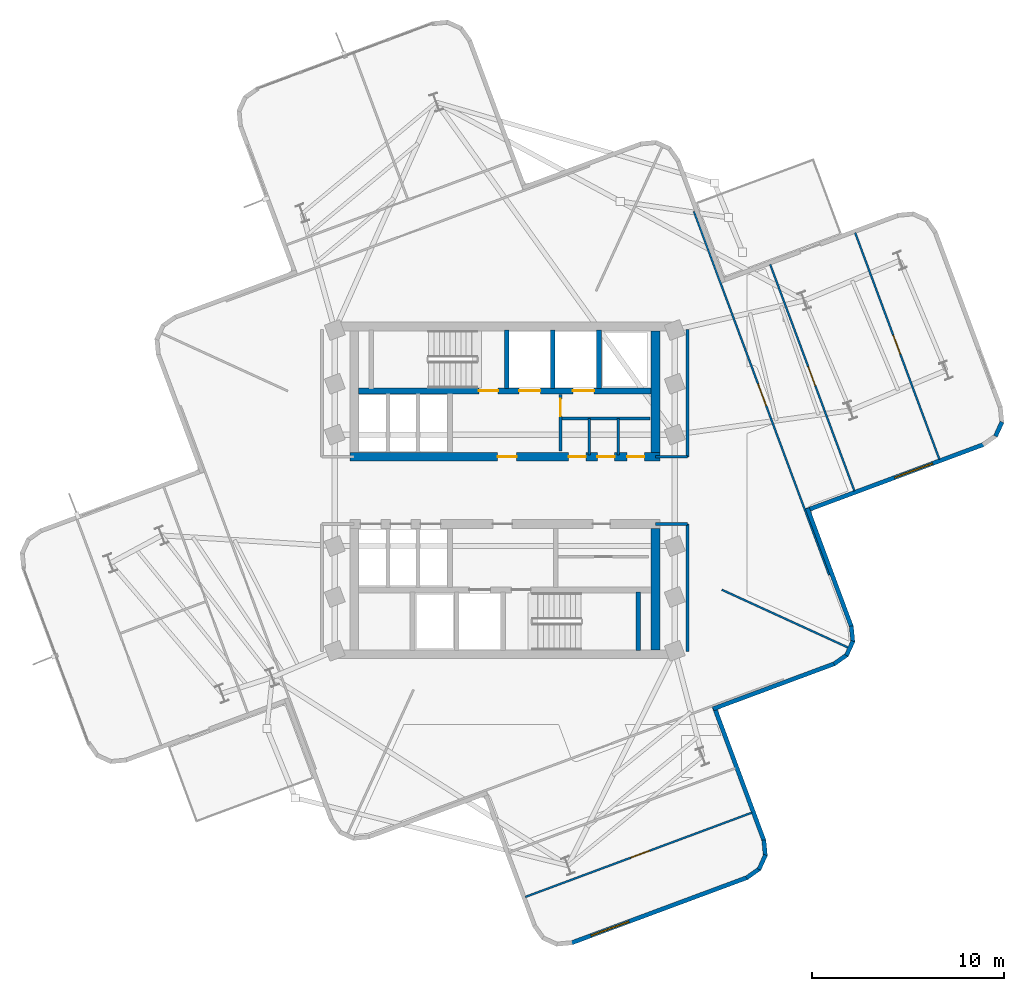
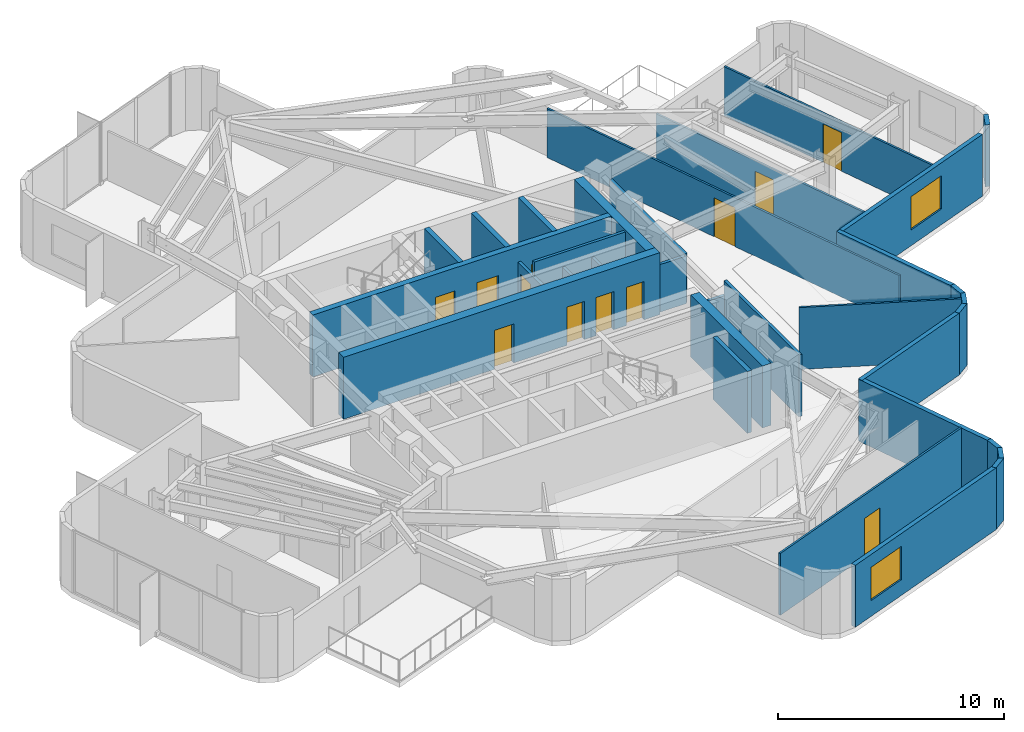
# One storey, part 7 of 11: 33 walls, 12 doors, 2 windows, 14 openings.
"""IFC4 building model written with IfcOpenShell, lengths in metres."""

from ifc_helpers import new_model, si_unit, direction, frame, frame_2d, origin, place, context, subcontext, project, spatial, rectangle, extrude, material, layer, layer_set, type_object, element, fill, save


model = new_model("IFC4")

# Units and contexts
model_context = context("Model", 3, precision=1e-05, world=origin(), true_north=direction((0.0, 1.0)))
body_context = subcontext(model_context, "Body", "Model", "MODEL_VIEW")
ifc_project = project(units=[si_unit("LENGTHUNIT", "METRE"), si_unit("AREAUNIT", "SQUARE_METRE"), si_unit("VOLUMEUNIT", "CUBIC_METRE"), si_unit("PLANEANGLEUNIT", "RADIAN"), si_unit("MASSUNIT", "GRAM", prefix="KILO")], contexts=[model_context])

# Site, building, storey
site_placement = place(None, origin())
site = spatial("IfcSite", under=ifc_project, at=site_placement, CompositionType="ELEMENT")
building_placement = place(site_placement, origin())
building = spatial("IfcBuilding", under=site, at=building_placement, Name="Solmarez Civic Tower", CompositionType="ELEMENT")
storey_placement = place(building_placement, frame((0.0, 0.0, 170.280029296875)))
storey = spatial("IfcBuildingStorey", under=building, at=storey_placement, Name="L45", CompositionType="ELEMENT", Elevation=170.280029296875)

# Wall, openings, doors
ifc_material_1 = material(Name="Concrete C50/60", Category="concrete")
ifc_layer_1 = layer(ifc_material_1, 0.449951171875)
ifc_layer_set_1 = layer_set([ifc_layer_1], Name="Concrete C50/60")
wall_type_1 = type_object("IfcWallType", Name="WALL-CORE-450", PredefinedType="SHEAR", material=ifc_layer_set_1)
wall_1_placement = place(storey_placement, frame((8.070068359375, 1.75, 0.0), z_axis=(0.0, 0.0, 1.0), x_axis=(-1.0, 0.0, 0.0)))
wall_1 = element("IfcWall", 1, at=wall_1_placement, inside=storey, type_object=wall_type_1, Name="L45 Split-Core Structural Wall NCW-S-L45", PredefinedType="SHEAR", context=body_context, shape_type="SweptSolid", body=[
    extrude(rectangle(XDim=16.14013671875, YDim=0.449951171875, at=frame_2d((8.070068359375, 0.0))), origin(), (0.0, 0.0, 1.0), 3.340087890625),
])
opening_1_placement = place(wall_1_placement, frame((7.449951171875, 0.0, 0.0)))
opening_1 = element("IfcOpeningElement", 2, at=opening_1_placement, cuts=wall_1, Name="Opening D-04", PredefinedType="OPENING", context=body_context, shape_type="SweptSolid", body=[
    extrude(rectangle(XDim=1.0, YDim=2.10009765625, at=frame_2d((0.5, 1.050048828125))), frame((0.0, 0.23486328125, 0.0), z_axis=(0.0, -1.0, 0.0), x_axis=(1.0, 0.0, 0.0)), (0.0, 0.0, 1.0), 0.469970703125),
])
opening_2_placement = place(wall_1_placement, frame((3.85009765625, 0.0, 0.0)))
opening_2 = element("IfcOpeningElement", 3, at=opening_2_placement, cuts=wall_1, Name="Opening D-09", PredefinedType="OPENING", context=body_context, shape_type="SweptSolid", body=[
    extrude(rectangle(XDim=0.89990234375, YDim=2.06005859375, at=frame_2d((0.449951171875, 1.030029296875))), frame((0.0, 0.23486328125, 0.0), z_axis=(0.0, -1.0, 0.0), x_axis=(1.0, 0.0, 0.0)), (0.0, 0.0, 1.0), 0.469970703125),
])
opening_3_placement = place(wall_1_placement, frame((2.35009765625, 0.0, 0.0)))
opening_3 = element("IfcOpeningElement", 4, at=opening_3_placement, cuts=wall_1, Name="Opening D-09", PredefinedType="OPENING", context=body_context, shape_type="SweptSolid", body=[
    extrude(rectangle(XDim=0.89990234375, YDim=2.06005859375, at=frame_2d((0.449951171875, 1.030029296875))), frame((0.0, 0.23486328125, 0.0), z_axis=(0.0, -1.0, 0.0), x_axis=(1.0, 0.0, 0.0)), (0.0, 0.0, 1.0), 0.469970703125),
])
opening_4_placement = place(wall_1_placement, frame((0.800048828125, 0.0, 0.0)))
opening_4 = element("IfcOpeningElement", 5, at=opening_4_placement, cuts=wall_1, Name="Opening D-09", PredefinedType="OPENING", context=body_context, shape_type="SweptSolid", body=[
    extrude(rectangle(XDim=0.89990234375, YDim=2.06005859375, at=frame_2d((0.449951171875, 1.030029296875))), frame((0.0, 0.23486328125, 0.0), z_axis=(0.0, -1.0, 0.0), x_axis=(1.0, 0.0, 0.0)), (0.0, 0.0, 1.0), 0.469970703125),
])
ifc_material_2 = material(Name="Steel-Faced Acoustic Fire Door", Category="steel")
door_type_1 = type_object("IfcDoorType", Name="DOOR-FD60-1000", OperationType="NOTDEFINED", PredefinedType="DOOR", material=ifc_material_2)
door_1_placement = place(opening_1_placement, origin())
door_1 = element("IfcDoor", 6, at=door_1_placement, inside=storey, type_object=door_type_1, Name="L45 North Firefighting Lobby Door", OperationType="SINGLE_SWING_RIGHT", OverallHeight=2.10009765625, OverallWidth=1.0, PredefinedType="DOOR", context=body_context, shape_type="SweptSolid", body=[
    extrude(rectangle(XDim=1.0, YDim=2.10009765625, at=frame_2d((0.5, 1.050048828125))), frame((0.0, 0.02490234375, 0.0), z_axis=(0.0, -1.0, 0.0), x_axis=(1.0, 0.0, 0.0)), (0.0, 0.0, 1.0), 0.050048828125),
])
fill(opening_1, door_1)
ifc_material_3 = material(Name="Fire-Rated Service Core Door", Category="wood")
door_type_2 = type_object("IfcDoorType", Name="DOOR-FD60-900", OperationType="NOTDEFINED", PredefinedType="DOOR", material=ifc_material_3)
door_2_placement = place(opening_2_placement, origin())
door_2 = element("IfcDoor", 7, at=door_2_placement, inside=storey, type_object=door_type_2, Name="L45 Core WC Door", OperationType="SINGLE_SWING_RIGHT", OverallHeight=2.06005859375, OverallWidth=0.89990234375, PredefinedType="DOOR", context=body_context, shape_type="SweptSolid", body=[
    extrude(rectangle(XDim=0.89990234375, YDim=2.06005859375, at=frame_2d((0.449951171875, 1.030029296875))), frame((0.0, 0.02490234375, 0.0), z_axis=(0.0, -1.0, 0.0), x_axis=(1.0, 0.0, 0.0)), (0.0, 0.0, 1.0), 0.050048828125),
])
fill(opening_2, door_2)
door_3_placement = place(opening_3_placement, origin())
door_3 = element("IfcDoor", 8, at=door_3_placement, inside=storey, type_object=door_type_2, Name="L45 Core CL Door", OperationType="SINGLE_SWING_LEFT", OverallHeight=2.06005859375, OverallWidth=0.89990234375, PredefinedType="DOOR", context=body_context, shape_type="SweptSolid", body=[
    extrude(rectangle(XDim=0.89990234375, YDim=2.06005859375, at=frame_2d((0.449951171875, 1.030029296875))), frame((0.0, 0.02490234375, 0.0), z_axis=(0.0, -1.0, 0.0), x_axis=(1.0, 0.0, 0.0)), (0.0, 0.0, 1.0), 0.050048828125),
])
fill(opening_3, door_3)
door_4_placement = place(opening_4_placement, origin())
door_4 = element("IfcDoor", 9, at=door_4_placement, inside=storey, type_object=door_type_2, Name="L45 Core IT Door", OperationType="SINGLE_SWING_LEFT", OverallHeight=2.06005859375, OverallWidth=0.89990234375, PredefinedType="DOOR", context=body_context, shape_type="SweptSolid", body=[
    extrude(rectangle(XDim=0.89990234375, YDim=2.06005859375, at=frame_2d((0.449951171875, 1.030029296875))), frame((0.0, 0.02490234375, 0.0), z_axis=(0.0, -1.0, 0.0), x_axis=(1.0, 0.0, 0.0)), (0.0, 0.0, 1.0), 0.050048828125),
])
fill(opening_4, door_4)

# Walls
for number, where, z_axis, x_axis, name in (
    (10, (7.844970703125, 8.31005859375, 0.0), (0.0, 0.0, 1.0), (0.0, -1.0, 0.0), "L45 Split-Core Structural Wall NCW-E-L45"),
    (11, (7.844970703125, -1.97509765625, 0.0), (0.0, 0.0, 1.0), (0.0, -1.0, 0.0), "L45 Split-Core Structural Wall SCW-E-L45"),
):
    element("IfcWall", number, at=place(storey_placement, frame(where, z_axis=z_axis, x_axis=x_axis)), inside=storey, type_object=wall_type_1, Name=name, PredefinedType="SHEAR", context=body_context, shape_type="SweptSolid", body=[
        extrude(rectangle(XDim=6.3349609375, YDim=0.449951171875, at=frame_2d((3.16748046875, 0.0))), origin(), (0.0, 0.0, 1.0), 3.340087890625),
    ])
ifc_material_4 = material(Name="Precast concrete C40/50", Category="concrete")
ifc_layer_2 = layer(ifc_material_4, 0.219970703125)
ifc_layer_set_2 = layer_set([ifc_layer_2], Name="Precast concrete C40/50")
wall_type_2 = type_object("IfcWallType", Name="WALL-EXT-220", PredefinedType="SOLIDWALL", material=ifc_layer_set_2)
wall_2_placement = place(storey_placement, frame((25.885986328125, 3.56201171875, 0.0), z_axis=(0.0, 0.0, 1.0), x_axis=(-0.41476734413, -0.909927497245, 0.0)))
element("IfcWall", 12, at=wall_2_placement, inside=storey, type_object=wall_type_2, Name="L45 Exterior Precast Wall 44", PredefinedType="SOLIDWALL", context=body_context, shape_type="SweptSolid", body=[
    extrude(rectangle(XDim=0.820068359375, YDim=0.219970703125, at=frame_2d((0.41015625, 0.0))), origin(), (0.0, 0.0, 1.0), 3.340087890625),
])

# Wall, opening, window
wall_3_placement = place(storey_placement, frame((24.93994140625, 2.39404296875, 0.0), z_axis=(0.0, 0.0, 1.0), x_axis=(-0.937259115868, -0.348633546468, 0.0)))
wall_3 = element("IfcWall", 13, at=wall_3_placement, inside=storey, type_object=wall_type_2, Name="L45 Exterior Precast Wall 46", PredefinedType="SOLIDWALL", context=body_context, shape_type="SweptSolid", body=[
    extrude(rectangle(XDim=9.858642578125, YDim=0.219970703125, at=frame_2d((4.92919921875, 0.0))), origin(), (0.0, 0.0, 1.0), 3.340087890625),
])
opening_5_placement = place(wall_3_placement, frame((2.85009765625, 0.0, 0.85009765625)))
opening_5 = element("IfcOpeningElement", 14, at=opening_5_placement, cuts=wall_3, Name="Opening W-07", PredefinedType="OPENING", context=body_context, shape_type="SweptSolid", body=[
    extrude(rectangle(XDim=2.10009765625, YDim=1.800048828125, at=frame_2d((1.050048828125, 0.89990234375))), frame((0.0, 0.119873046875, 0.0), z_axis=(0.0, -1.0, 0.0), x_axis=(1.0, 0.0, 0.0)), (0.0, 0.0, 1.0), 0.239990234375),
])
ifc_material_5 = material(Name="Solar Control Bronze-Tinted Insulating Glass", Category="glass")
window_type = type_object("IfcWindowType", Name="WIN-2100X1800", PartitioningType="SINGLE_PANEL", PredefinedType="WINDOW", material=ifc_material_5)
window_1_placement = place(opening_5_placement, origin())
window_1 = element("IfcWindow", 15, at=window_1_placement, inside=storey, type_object=window_type, Name="L45 Exterior Facade Window 46", OverallHeight=1.800048828125, OverallWidth=2.10009765625, PartitioningType="SINGLE_PANEL", PredefinedType="WINDOW", context=body_context, shape_type="SweptSolid", body=[
    extrude(rectangle(XDim=2.10009765625, YDim=1.800048828125, at=frame_2d((1.050048828125, 0.89990234375))), frame((0.0, 0.030029296875, 0.0), z_axis=(0.0, -1.0, 0.0), x_axis=(1.0, 0.0, 0.0)), (0.0, 0.0, 1.0), 0.06005859375),
])
fill(opening_5, window_1)

# Walls
wall_4_placement = place(storey_placement, frame((15.7509765625, -0.929931640625, 0.0), z_axis=(0.0, 0.0, 1.0), x_axis=(0.348729932868, -0.937223257246, 0.0)))
element("IfcWall", 16, at=wall_4_placement, inside=storey, type_object=wall_type_2, Name="L45 Exterior Precast Wall 49", PredefinedType="SOLIDWALL", context=body_context, shape_type="SweptSolid", body=[
    extrude(rectangle(XDim=6.598388671875, YDim=0.219970703125, at=frame_2d((3.29931640625, 0.0))), origin(), (0.0, 0.0, 1.0), 3.340087890625),
])
wall_5_placement = place(storey_placement, frame((18.041015625, -7.06591796875, 0.0), z_axis=(0.0, 0.0, 1.0), x_axis=(0.09330446586, -0.995637623159, 0.0)))
element("IfcWall", 17, at=wall_5_placement, inside=storey, type_object=wall_type_2, Name="L45 Exterior Precast Wall 50", PredefinedType="SOLIDWALL", context=body_context, shape_type="SweptSolid", body=[
    extrude(rectangle(XDim=0.834716796875, YDim=0.219970703125, at=frame_2d((0.41748046875, 0.0))), origin(), (0.0, 0.0, 1.0), 3.340087890625),
])
wall_6_placement = place(storey_placement, frame((18.126953125, -7.84912109375, 0.0), z_axis=(0.0, 0.0, 1.0), x_axis=(-0.415083126143, -0.909783489843, 0.0)))
element("IfcWall", 18, at=wall_6_placement, inside=storey, type_object=wall_type_2, Name="L45 Exterior Precast Wall 51", PredefinedType="SOLIDWALL", context=body_context, shape_type="SweptSolid", body=[
    extrude(rectangle(XDim=0.81884765625, YDim=0.219970703125, at=frame_2d((0.409423828125, 0.0))), origin(), (0.0, 0.0, 1.0), 3.340087890625),
])
wall_7_placement = place(storey_placement, frame((17.81689453125, -8.556884765625, 0.0), z_axis=(0.0, 0.0, 1.0), x_axis=(-0.815315167698, -0.579017424022, 0.0)))
element("IfcWall", 19, at=wall_7_placement, inside=storey, type_object=wall_type_2, Name="L45 Exterior Precast Wall 52", PredefinedType="SOLIDWALL", context=body_context, shape_type="SweptSolid", body=[
    extrude(rectangle(XDim=0.832763671875, YDim=0.219970703125, at=frame_2d((0.41650390625, 0.0))), origin(), (0.0, 0.0, 1.0), 3.340087890625),
])
wall_8_placement = place(storey_placement, frame((17.180908203125, -9.01611328125, 0.0), z_axis=(0.0, 0.0, 1.0), x_axis=(-0.937216908499, -0.34874699486, 0.0)))
element("IfcWall", 20, at=wall_8_placement, inside=storey, type_object=wall_type_2, Name="L45 Exterior Precast Wall 53", PredefinedType="SOLIDWALL", context=body_context, shape_type="SweptSolid", body=[
    extrude(rectangle(XDim=6.75830078125, YDim=0.219970703125, at=frame_2d((3.379150390625, 0.0))), origin(), (0.0, 0.0, 1.0), 3.340087890625),
])
wall_9_placement = place(storey_placement, frame((10.89794921875, -11.260009765625, 0.0), z_axis=(0.0, 0.0, 1.0), x_axis=(0.348636078187, -0.937258174137, 0.0)))
element("IfcWall", 21, at=wall_9_placement, inside=storey, type_object=wall_type_2, Name="L45 Exterior Precast Wall 56", PredefinedType="SOLIDWALL", context=body_context, shape_type="SweptSolid", body=[
    extrude(rectangle(XDim=7.4580078125, YDim=0.219970703125, at=frame_2d((3.72900390625, 0.0))), origin(), (0.0, 0.0, 1.0), 3.340087890625),
])
wall_10_placement = place(storey_placement, frame((13.487060546875, -18.201904296875, 0.0), z_axis=(0.0, 0.0, 1.0), x_axis=(0.093413278521, -0.99562741997, 0.0)))
element("IfcWall", 22, at=wall_10_placement, inside=storey, type_object=wall_type_2, Name="L45 Exterior Precast Wall 57", PredefinedType="SOLIDWALL", context=body_context, shape_type="SweptSolid", body=[
    extrude(rectangle(XDim=0.833740234375, YDim=0.219970703125, at=frame_2d((0.4169921875, 0.0))), origin(), (0.0, 0.0, 1.0), 3.340087890625),
])
wall_11_placement = place(storey_placement, frame((13.572998046875, -18.98388671875, 0.0), z_axis=(0.0, 0.0, 1.0), x_axis=(-0.41476734413, -0.909927497245, 0.0)))
element("IfcWall", 23, at=wall_11_placement, inside=storey, type_object=wall_type_2, Name="L45 Exterior Precast Wall 58", PredefinedType="SOLIDWALL", context=body_context, shape_type="SweptSolid", body=[
    extrude(rectangle(XDim=0.820068359375, YDim=0.219970703125, at=frame_2d((0.41015625, 0.0))), origin(), (0.0, 0.0, 1.0), 3.340087890625),
])
wall_12_placement = place(storey_placement, frame((13.262939453125, -19.693115234375, 0.0), z_axis=(0.0, 0.0, 1.0), x_axis=(-0.815453569677, -0.578822490666, 0.0)))
element("IfcWall", 24, at=wall_12_placement, inside=storey, type_object=wall_type_2, Name="L45 Exterior Precast Wall 59", PredefinedType="SOLIDWALL", context=body_context, shape_type="SweptSolid", body=[
    extrude(rectangle(XDim=0.83251953125, YDim=0.219970703125, at=frame_2d((0.416259765625, 0.0))), origin(), (0.0, 0.0, 1.0), 3.340087890625),
])

# Wall, opening, window
wall_13_placement = place(storey_placement, frame((12.626953125, -20.152099609375, 0.0), z_axis=(0.0, 0.0, 1.0), x_axis=(-0.937257326037, -0.348638358175, 0.0)))
wall_13 = element("IfcWall", 25, at=wall_13_placement, inside=storey, type_object=wall_type_2, Name="L45 Exterior Precast Wall 60", PredefinedType="SOLIDWALL", context=body_context, shape_type="SweptSolid", body=[
    extrude(rectangle(XDim=9.78076171875, YDim=0.219970703125, at=frame_2d((4.890380859375, 0.0))), origin(), (0.0, 0.0, 1.0), 3.340087890625),
])
opening_6_placement = place(wall_13_placement, frame((6.5791015625, 0.0, 0.85009765625)))
opening_6 = element("IfcOpeningElement", 26, at=opening_6_placement, cuts=wall_13, Name="Opening W-07", PredefinedType="OPENING", context=body_context, shape_type="SweptSolid", body=[
    extrude(rectangle(XDim=2.10009765625, YDim=1.800048828125, at=frame_2d((1.050048828125, 0.89990234375))), frame((0.0, 0.119873046875, 0.0), z_axis=(0.0, -1.0, 0.0), x_axis=(1.0, 0.0, 0.0)), (0.0, 0.0, 1.0), 0.239990234375),
])
window_2_placement = place(opening_6_placement, origin())
window_2 = element("IfcWindow", 27, at=window_2_placement, inside=storey, type_object=window_type, Name="L45 Exterior Facade Window 60", OverallHeight=1.800048828125, OverallWidth=2.10009765625, PartitioningType="SINGLE_PANEL", PredefinedType="WINDOW", context=body_context, shape_type="SweptSolid", body=[
    extrude(rectangle(XDim=2.10009765625, YDim=1.800048828125, at=frame_2d((1.050048828125, 0.89990234375))), frame((0.0, 0.030029296875, 0.0), z_axis=(0.0, -1.0, 0.0), x_axis=(1.0, 0.0, 0.0)), (0.0, 0.0, 1.0), 0.06005859375),
])
fill(opening_6, window_2)

# Walls
ifc_material_6 = material(Name="Gypsum Board Acoustic Steel-Stud Partition", Category="steel")
ifc_layer_3 = layer(ifc_material_6, 0.14990234375)
ifc_layer_set_3 = layer_set([ifc_layer_3], Name="Gypsum Board Acoustic Steel-Stud Partition")
wall_type_3 = type_object("IfcWallType", Name="WALL-INT-FIRE-150", PredefinedType="PARTITIONING", material=ifc_layer_set_3)
wall_14_placement = place(storey_placement, frame((9.52001953125, 1.75, 0.0), z_axis=(0.0, 0.0, 1.0), x_axis=(0.0, 1.0, 0.0)))
element("IfcWall", 28, at=wall_14_placement, inside=storey, type_object=wall_type_3, Name="L45 Interior Partition CHW-L45-EN1", PredefinedType="PARTITIONING", context=body_context, shape_type="SweptSolid", body=[
    extrude(rectangle(XDim=6.6298828125, YDim=0.14990234375, at=frame_2d((3.31494140625, 0.0))), origin(), (0.0, 0.0, 1.0), 2.64404296875),
])
wall_15_placement = place(storey_placement, frame((7.85009765625, 1.75, 0.0), z_axis=(0.0, 0.0, 1.0), x_axis=(1.0, 0.0, 0.0)))
element("IfcWall", 29, at=wall_15_placement, inside=storey, type_object=wall_type_3, Name="L45 Interior Partition CHW-L45-EN3", PredefinedType="PARTITIONING", context=body_context, shape_type="SweptSolid", body=[
    extrude(rectangle(XDim=1.669921875, YDim=0.14990234375, at=frame_2d((0.8349609375, 0.0))), origin(), (0.0, 0.0, 1.0), 2.570068359375),
])
wall_16_placement = place(storey_placement, frame((9.52001953125, -8.3798828125, 0.0), z_axis=(0.0, 0.0, 1.0), x_axis=(0.0, 1.0, 0.0)))
element("IfcWall", 30, at=wall_16_placement, inside=storey, type_object=wall_type_3, Name="L45 Interior Partition CHW-L45-ES1", PredefinedType="PARTITIONING", context=body_context, shape_type="SweptSolid", body=[
    extrude(rectangle(XDim=6.6298828125, YDim=0.14990234375, at=frame_2d((3.31494140625, 0.0))), origin(), (0.0, 0.0, 1.0), 3.340087890625),
])
wall_17_placement = place(storey_placement, frame((7.85009765625, -1.75, 0.0), z_axis=(0.0, 0.0, 1.0), x_axis=(1.0, 0.0, 0.0)))
element("IfcWall", 31, at=wall_17_placement, inside=storey, type_object=wall_type_3, Name="L45 Interior Partition CHW-L45-ES3", PredefinedType="PARTITIONING", context=body_context, shape_type="SweptSolid", body=[
    extrude(rectangle(XDim=1.669921875, YDim=0.14990234375, at=frame_2d((0.8349609375, 0.0))), origin(), (0.0, 0.0, 1.0), 2.570068359375),
])
ifc_layer_4 = layer(ifc_material_6, 0.10009765625)
ifc_layer_set_4 = layer_set([ifc_layer_4], Name="Gypsum Board Acoustic Steel-Stud Partition")
wall_type_4 = type_object("IfcWallType", Name="WALL-INT-PART-100", PredefinedType="PARTITIONING", material=ifc_layer_set_4)
wall_18_placement = place(storey_placement, frame((11.300048828125, -5.174072265625, 0.0), z_axis=(0.0, 0.0, 1.0), x_axis=(0.909275268701, -0.416195249528, 0.0)))
element("IfcWall", 32, at=wall_18_placement, inside=storey, type_object=wall_type_4, Name="L45 Interior Partition PT-L45-QDIV-4", PredefinedType="PARTITIONING", context=body_context, shape_type="SweptSolid", body=[
    extrude(rectangle(XDim=7.246337890625, YDim=0.10009765625, at=frame_2d((3.623046875, 0.0))), origin(), (0.0, 0.0, 1.0), 3.340087890625),
])

# Wall, opening, door
wall_19_placement = place(storey_placement, frame((9.845947265625, 14.52197265625, 0.0), z_axis=(0.0, 0.0, 1.0), x_axis=(0.348543090668, -0.937292757866, 0.0)))
wall_19 = element("IfcWall", 33, at=wall_19_placement, inside=storey, type_object=wall_type_4, Name="L45 Interior Partition PT-L45-E-ENT", PredefinedType="PARTITIONING", context=body_context, shape_type="SweptSolid", body=[
    extrude(rectangle(XDim=20.198486328125, YDim=0.10009765625, at=frame_2d((10.09912109375, 0.0))), origin(), (0.0, 0.0, 1.0), 2.64404296875),
])
opening_7_placement = place(wall_19_placement, frame((9.5791015625, 0.0, 0.0)))
opening_7 = element("IfcOpeningElement", 34, at=opening_7_placement, cuts=wall_19, Name="Opening D-11", PredefinedType="OPENING", context=body_context, shape_type="SweptSolid", body=[
    extrude(rectangle(XDim=1.199951171875, YDim=2.10009765625, at=frame_2d((0.60009765625, 1.050048828125))), frame((0.0, 0.06005859375, 0.0), z_axis=(0.0, -1.0, 0.0), x_axis=(1.0, 0.0, 0.0)), (0.0, 0.0, 1.0), 0.1201171875),
])
ifc_material_7 = material(Name="Glazed-Vision Acoustic Chamber Door", Category="wood")
door_type_3 = type_object("IfcDoorType", Name="DOOR-INT-1200", OperationType="NOTDEFINED", PredefinedType="DOOR", material=ifc_material_7)
door_5_placement = place(opening_7_placement, origin())
door_5 = element("IfcDoor", 35, at=door_5_placement, inside=storey, type_object=door_type_3, Name="L45 Tribunal Chamber Co-Working Policy Workspace First East Door", OperationType="SINGLE_SWING_LEFT", OverallHeight=2.10009765625, OverallWidth=1.199951171875, PredefinedType="DOOR", context=body_context, shape_type="SweptSolid", body=[
    extrude(rectangle(XDim=1.199951171875, YDim=2.10009765625, at=frame_2d((0.60009765625, 1.050048828125))), frame((0.0, 0.02490234375, 0.0), z_axis=(0.0, -1.0, 0.0), x_axis=(1.0, 0.0, 0.0)), (0.0, 0.0, 1.0), 0.050048828125),
])
fill(opening_7, door_5)

wall_20_placement = place(storey_placement, frame((13.81396484375, 11.76806640625, 0.0), z_axis=(0.0, 0.0, 1.0), x_axis=(0.348608135993, -0.937268567445, 0.0)))
wall_20 = element("IfcWall", 36, at=wall_20_placement, inside=storey, type_object=wall_type_4, Name="L45 Interior Partition PT-L45-E-SC1", PredefinedType="PARTITIONING", context=body_context, shape_type="SweptSolid", body=[
    extrude(rectangle(XDim=12.58984375, YDim=0.10009765625, at=frame_2d((6.294921875, 0.0))), origin(), (0.0, 0.0, 1.0), 2.64404296875),
])
opening_8_placement = place(wall_20_placement, frame((5.68994140625, 0.0, 0.0)))
opening_8 = element("IfcOpeningElement", 37, at=opening_8_placement, cuts=wall_20, Name="Opening D-13", PredefinedType="OPENING", context=body_context, shape_type="SweptSolid", body=[
    extrude(rectangle(XDim=1.050048828125, YDim=2.080078125, at=frame_2d((0.52490234375, 1.0400390625))), frame((0.0, 0.06005859375, 0.0), z_axis=(0.0, -1.0, 0.0), x_axis=(1.0, 0.0, 0.0)), (0.0, 0.0, 1.0), 0.1201171875),
])
ifc_material_8 = material(Name="Timber Directorate Office Door", Category="wood")
door_type_4 = type_object("IfcDoorType", Name="DOOR-INT-1050", OperationType="NOTDEFINED", PredefinedType="DOOR", material=ifc_material_8)
door_6_placement = place(opening_8_placement, origin())
door_6 = element("IfcDoor", 38, at=door_6_placement, inside=storey, type_object=door_type_4, Name="L45 Breakout Huddle Room East Door", OperationType="SINGLE_SWING_LEFT", OverallHeight=2.080078125, OverallWidth=1.050048828125, PredefinedType="DOOR", context=body_context, shape_type="SweptSolid", body=[
    extrude(rectangle(XDim=1.050048828125, YDim=2.080078125, at=frame_2d((0.52490234375, 1.0400390625))), frame((0.0, 0.02490234375, 0.0), z_axis=(0.0, -1.0, 0.0), x_axis=(1.0, 0.0, 0.0)), (0.0, 0.0, 1.0), 0.050048828125),
])
fill(opening_8, door_6)

wall_21_placement = place(storey_placement, frame((18.239013671875, 13.4140625, 0.0), z_axis=(0.0, 0.0, 1.0), x_axis=(0.348514653153, -0.937303332192, 0.0)))
wall_21 = element("IfcWall", 39, at=wall_21_placement, inside=storey, type_object=wall_type_4, Name="L45 Interior Partition PT-L45-E-SC2", PredefinedType="PARTITIONING", context=body_context, shape_type="SweptSolid", body=[
    extrude(rectangle(XDim=12.59033203125, YDim=0.10009765625, at=frame_2d((6.295166015625, 0.0))), origin(), (0.0, 0.0, 1.0), 2.64404296875),
])
opening_9_placement = place(wall_21_placement, frame((5.69091796875, 0.0, 0.0)))
opening_9 = element("IfcOpeningElement", 40, at=opening_9_placement, cuts=wall_21, Name="Opening D-13", PredefinedType="OPENING", context=body_context, shape_type="SweptSolid", body=[
    extrude(rectangle(XDim=1.050048828125, YDim=2.080078125, at=frame_2d((0.52490234375, 1.0400390625))), frame((0.0, 0.06005859375, 0.0), z_axis=(0.0, -1.0, 0.0), x_axis=(1.0, 0.0, 0.0)), (0.0, 0.0, 1.0), 0.1201171875),
])
door_7_placement = place(opening_9_placement, origin())
door_7 = element("IfcDoor", 41, at=door_7_placement, inside=storey, type_object=door_type_4, Name="L45 Staff Tea Pantry East Door", OperationType="SINGLE_SWING_RIGHT", OverallHeight=2.080078125, OverallWidth=1.050048828125, PredefinedType="DOOR", context=body_context, shape_type="SweptSolid", body=[
    extrude(rectangle(XDim=1.050048828125, YDim=2.080078125, at=frame_2d((0.52490234375, 1.0400390625))), frame((0.0, 0.02490234375, 0.0), z_axis=(0.0, -1.0, 0.0), x_axis=(1.0, 0.0, 0.0)), (0.0, 0.0, 1.0), 0.050048828125),
])
fill(opening_9, door_7)

wall_22_placement = place(storey_placement, frame((12.8701171875, -16.77587890625, 0.0), z_axis=(0.0, 0.0, 1.0), x_axis=(-0.937262231235, -0.348625171066, 0.0)))
wall_22 = element("IfcWall", 42, at=wall_22_placement, inside=storey, type_object=wall_type_4, Name="L45 Interior Partition PT-L45-S-SC2", PredefinedType="PARTITIONING", context=body_context, shape_type="SweptSolid", body=[
    extrude(rectangle(XDim=12.58984375, YDim=0.10009765625, at=frame_2d((6.294921875, 0.0))), origin(), (0.0, 0.0, 1.0), 3.340087890625),
])
opening_10_placement = place(wall_22_placement, frame((5.68994140625, 0.0, 0.0)))
opening_10 = element("IfcOpeningElement", 43, at=opening_10_placement, cuts=wall_22, Name="Opening D-13", PredefinedType="OPENING", context=body_context, shape_type="SweptSolid", body=[
    extrude(rectangle(XDim=1.050048828125, YDim=2.080078125, at=frame_2d((0.52490234375, 1.0400390625))), frame((0.0, 0.06005859375, 0.0), z_axis=(0.0, -1.0, 0.0), x_axis=(1.0, 0.0, 0.0)), (0.0, 0.0, 1.0), 0.1201171875),
])
door_8_placement = place(opening_10_placement, origin())
door_8 = element("IfcDoor", 44, at=door_8_placement, inside=storey, type_object=door_type_4, Name="L45 Municipal Mailroom South Door", OperationType="SINGLE_SWING_RIGHT", OverallHeight=2.080078125, OverallWidth=1.050048828125, PredefinedType="DOOR", context=body_context, shape_type="SweptSolid", body=[
    extrude(rectangle(XDim=1.050048828125, YDim=2.080078125, at=frame_2d((0.52490234375, 1.0400390625))), frame((0.0, 0.02490234375, 0.0), z_axis=(0.0, -1.0, 0.0), x_axis=(1.0, 0.0, 0.0)), (0.0, 0.0, 1.0), 0.050048828125),
])
fill(opening_10, door_8)

ifc_layer_5 = layer(ifc_material_6, 0.159912109375)
ifc_layer_set_5 = layer_set([ifc_layer_5], Name="Gypsum Board Acoustic Steel-Stud Partition")
wall_type_5 = type_object("IfcWallType", Name="WALL-INT-SHAFT-160", PredefinedType="PARTITIONING", material=ifc_layer_set_5)
wall_23_placement = place(storey_placement, frame((2.89990234375, 2.0400390625, 0.0), z_axis=(0.0, 0.0, 1.0), x_axis=(0.0, 1.0, 0.0)))
wall_23 = element("IfcWall", 45, at=wall_23_placement, inside=storey, type_object=wall_type_5, Name="L45 Interior Partition SHW-NL2-L45", PredefinedType="PARTITIONING", context=body_context, shape_type="SweptSolid", body=[
    extrude(rectangle(XDim=2.93994140625, YDim=0.159912109375, at=frame_2d((1.469970703125, 0.0))), origin(), (0.0, 0.0, 1.0), 2.570068359375),
])
opening_11_placement = place(wall_23_placement, frame((1.820068359375, 0.0, 0.0)))
opening_11 = element("IfcOpeningElement", 46, at=opening_11_placement, cuts=wall_23, Name="Opening D-09", PredefinedType="OPENING", context=body_context, shape_type="SweptSolid", body=[
    extrude(rectangle(XDim=0.89990234375, YDim=2.06005859375, at=frame_2d((0.449951171875, 1.030029296875))), frame((0.0, 0.08984375, 0.0), z_axis=(0.0, -1.0, 0.0), x_axis=(1.0, 0.0, 0.0)), (0.0, 0.0, 1.0), 0.179931640625),
])
door_9_placement = place(opening_11_placement, origin())
door_9 = element("IfcDoor", 47, at=door_9_placement, inside=storey, type_object=door_type_2, Name="L45 Service Lift Lobby Door", OperationType="SINGLE_SWING_LEFT", OverallHeight=2.06005859375, OverallWidth=0.89990234375, PredefinedType="DOOR", context=body_context, shape_type="SweptSolid", body=[
    extrude(rectangle(XDim=0.89990234375, YDim=2.06005859375, at=frame_2d((0.449951171875, 1.030029296875))), frame((0.0, 0.02490234375, 0.0), z_axis=(0.0, -1.0, 0.0), x_axis=(1.0, 0.0, 0.0)), (0.0, 0.0, 1.0), 0.050048828125),
])
fill(opening_11, door_9)

# Walls
ifc_layer_6 = layer(ifc_material_6, 0.137939453125)
ifc_layer_set_6 = layer_set([ifc_layer_6], Name="Gypsum Board Acoustic Steel-Stud Partition")
wall_type_6 = type_object("IfcWallType", Name="WALL-INT-WET-140", PredefinedType="PARTITIONING", material=ifc_layer_set_6)
wall_24_placement = place(storey_placement, frame((2.89990234375, 3.739990234375, 0.0), z_axis=(0.0, 0.0, 1.0), x_axis=(1.0, 0.0, 0.0)))
element("IfcWall", 48, at=wall_24_placement, inside=storey, type_object=wall_type_6, Name="L45 Interior Partition SHW-SVH-L45", PredefinedType="PARTITIONING", context=body_context, shape_type="SweptSolid", body=[
    extrude(rectangle(XDim=4.650146484375, YDim=0.137939453125, at=frame_2d((2.3251953125, 0.0))), origin(), (0.0, 0.0, 1.0), 3.340087890625),
])
for number, where, z_axis, x_axis, name in (
    (49, (4.39990234375, 1.85009765625, 0.0), (0.0, 0.0, 1.0), (0.0, 1.0, 0.0), "L45 Interior Partition PT-NCSV1-L45"),
    (50, (5.89990234375, 1.85009765625, 0.0), (0.0, 0.0, 1.0), (0.0, 1.0, 0.0), "L45 Interior Partition PT-NCSV2-L45"),
):
    element("IfcWall", number, at=place(storey_placement, frame(where, z_axis=z_axis, x_axis=x_axis)), inside=storey, type_object=wall_type_6, Name=name, PredefinedType="PARTITIONING", context=body_context, shape_type="SweptSolid", body=[
        extrude(rectangle(XDim=1.889892578125, YDim=0.137939453125, at=frame_2d((0.94482421875, 0.0))), origin(), (0.0, 0.0, 1.0), 2.570068359375),
    ])

# Wall, openings, doors
ifc_layer_7 = layer(ifc_material_1, 0.300048828125)
ifc_layer_set_7 = layer_set([ifc_layer_7], Name="Concrete C50/60")
wall_type_7 = type_object("IfcWallType", Name="WALL-STR-300", PredefinedType="SOLIDWALL", material=ifc_layer_set_7)
wall_25_placement = place(storey_placement, frame((7.6201171875, 5.179931640625, 0.0), z_axis=(0.0, 0.0, 1.0), x_axis=(-1.0, 0.0, 0.0)))
wall_25 = element("IfcWall", 51, at=wall_25_placement, inside=storey, type_object=wall_type_7, Name="L45 Split-Core Structural Wall NCW-M-L45", PredefinedType="SOLIDWALL", context=body_context, shape_type="SweptSolid", body=[
    extrude(rectangle(XDim=15.240234375, YDim=0.300048828125, at=frame_2d((7.6201171875, 0.0))), origin(), (0.0, 0.0, 1.0), 3.340087890625),
])
opening_12_placement = place(wall_25_placement, frame((5.77001953125, 0.0, 0.0)))
opening_12 = element("IfcOpeningElement", 52, at=opening_12_placement, cuts=wall_25, Name="Opening LD-02", PredefinedType="OPENING", context=body_context, shape_type="SweptSolid", body=[
    extrude(rectangle(XDim=1.10009765625, YDim=2.14990234375, at=frame_2d((0.550048828125, 1.074951171875))), frame((0.0, 0.159912109375, 0.0), z_axis=(0.0, -1.0, 0.0), x_axis=(1.0, 0.0, 0.0)), (0.0, 0.0, 1.0), 0.320068359375),
])
opening_13_placement = place(wall_25_placement, frame((2.969970703125, 0.0, 0.0)))
opening_13 = element("IfcOpeningElement", 53, at=opening_13_placement, cuts=wall_25, Name="Opening LD-03", PredefinedType="OPENING", context=body_context, shape_type="SweptSolid", body=[
    extrude(rectangle(XDim=1.10009765625, YDim=2.14990234375, at=frame_2d((0.550048828125, 1.074951171875))), frame((0.0, 0.159912109375, 0.0), z_axis=(0.0, -1.0, 0.0), x_axis=(1.0, 0.0, 0.0)), (0.0, 0.0, 1.0), 0.320068359375),
])
opening_14_placement = place(wall_25_placement, frame((7.969970703125, 0.0, 0.0)))
opening_14 = element("IfcOpeningElement", 54, at=opening_14_placement, cuts=wall_25, Name="Opening D-05", PredefinedType="OPENING", context=body_context, shape_type="SweptSolid", body=[
    extrude(rectangle(XDim=1.0, YDim=2.10009765625, at=frame_2d((0.5, 1.050048828125))), frame((0.0, 0.159912109375, 0.0), z_axis=(0.0, -1.0, 0.0), x_axis=(1.0, 0.0, 0.0)), (0.0, 0.0, 1.0), 0.320068359375),
])
ifc_material_9 = material(Name="Fire-Rated Stairwell Exit Door", Category="wood")
door_type_5 = type_object("IfcDoorType", Name="DOOR-FD90-1000", OperationType="NOTDEFINED", PredefinedType="DOOR", material=ifc_material_9)
door_10_placement = place(opening_14_placement, origin())
door_10 = element("IfcDoor", 55, at=door_10_placement, inside=storey, type_object=door_type_5, Name="L45 North Exit Stair Door ST-1", OperationType="SINGLE_SWING_RIGHT", OverallHeight=2.10009765625, OverallWidth=1.0, PredefinedType="DOOR", context=body_context, shape_type="SweptSolid", body=[
    extrude(rectangle(XDim=1.0, YDim=2.10009765625, at=frame_2d((0.5, 1.050048828125))), frame((0.0, 0.02490234375, 0.0), z_axis=(0.0, -1.0, 0.0), x_axis=(1.0, 0.0, 0.0)), (0.0, 0.0, 1.0), 0.050048828125),
])
fill(opening_14, door_10)
ifc_material_10 = material(Name="Stainless Firefighting Lift Landing Sliding Door", Category="aluminium")
door_type_6 = type_object("IfcDoorType", Name="DOOR-LD-FF-1100", OperationType="DOUBLE_DOOR_SLIDING", PredefinedType="DOOR", material=ifc_material_10)
door_11_placement = place(opening_12_placement, origin())
door_11 = element("IfcDoor", 56, at=door_11_placement, inside=storey, type_object=door_type_6, Name="L45 Firefighting Lift Landing Door FFL-1", OperationType="DOUBLE_DOOR_SLIDING", OverallHeight=2.14990234375, OverallWidth=1.10009765625, PredefinedType="DOOR", context=body_context, shape_type="SweptSolid", body=[
    extrude(rectangle(XDim=1.10009765625, YDim=2.14990234375, at=frame_2d((0.550048828125, 1.074951171875))), frame((0.0, 0.02490234375, 0.0), z_axis=(0.0, -1.0, 0.0), x_axis=(1.0, 0.0, 0.0)), (0.0, 0.0, 1.0), 0.050048828125),
])
fill(opening_12, door_11)
ifc_material_11 = material(Name="Stainless Stretcher Lift Landing Sliding Door", Category="aluminium")
door_type_7 = type_object("IfcDoorType", Name="DOOR-LD-SV-1100", OperationType="DOUBLE_DOOR_SLIDING", PredefinedType="DOOR", material=ifc_material_11)
door_12_placement = place(opening_13_placement, origin())
door_12 = element("IfcDoor", 57, at=door_12_placement, inside=storey, type_object=door_type_7, Name="L45 Service Stretcher Lift Landing Door SVL-1", OperationType="DOUBLE_DOOR_SLIDING", OverallHeight=2.14990234375, OverallWidth=1.10009765625, PredefinedType="DOOR", context=body_context, shape_type="SweptSolid", body=[
    extrude(rectangle(XDim=1.10009765625, YDim=2.14990234375, at=frame_2d((0.550048828125, 1.074951171875))), frame((0.0, 0.02490234375, 0.0), z_axis=(0.0, -1.0, 0.0), x_axis=(1.0, 0.0, 0.0)), (0.0, 0.0, 1.0), 0.050048828125),
])
fill(opening_13, door_12)

# Walls
wall_26_placement = place(storey_placement, frame((6.949951171875, -8.340087890625, 0.0), z_axis=(0.0, 0.0, 1.0), x_axis=(0.0, 1.0, 0.0)))
element("IfcWall", 58, at=wall_26_placement, inside=storey, type_object=wall_type_7, Name="L45 Split-Core Structural Wall SHW-SE-L45", PredefinedType="SOLIDWALL", context=body_context, shape_type="SweptSolid", body=[
    extrude(rectangle(XDim=3.06005859375, YDim=0.219970703125, at=frame_2d((1.530029296875, 0.0))), origin(), (0.0, 0.0, 1.0), 3.340087890625),
])
for number, where, z_axis, x_axis, name in (
    (59, (0.10009765625, 5.300048828125, 0.0), (0.0, 0.0, 1.0), (0.0, 1.0, 0.0), "L45 Split-Core Structural Wall SHW-N1-L45"),
    (60, (2.5, 5.300048828125, 0.0), (0.0, 0.0, 1.0), (0.0, 1.0, 0.0), "L45 Split-Core Structural Wall SHW-N2-L45"),
    (61, (4.89990234375, 5.300048828125, 0.0), (0.0, 0.0, 1.0), (0.0, 1.0, 0.0), "L45 Split-Core Structural Wall SHW-N3-L45"),
):
    element("IfcWall", number, at=place(storey_placement, frame(where, z_axis=z_axis, x_axis=x_axis)), inside=storey, type_object=wall_type_7, Name=name, PredefinedType="SOLIDWALL", context=body_context, shape_type="SweptSolid", body=[
        extrude(rectangle(XDim=3.0400390625, YDim=0.25, at=frame_2d((1.52001953125, 0.0))), origin(), (0.0, 0.0, 1.0), 3.340087890625),
    ])

save(model, "model.ifc")
